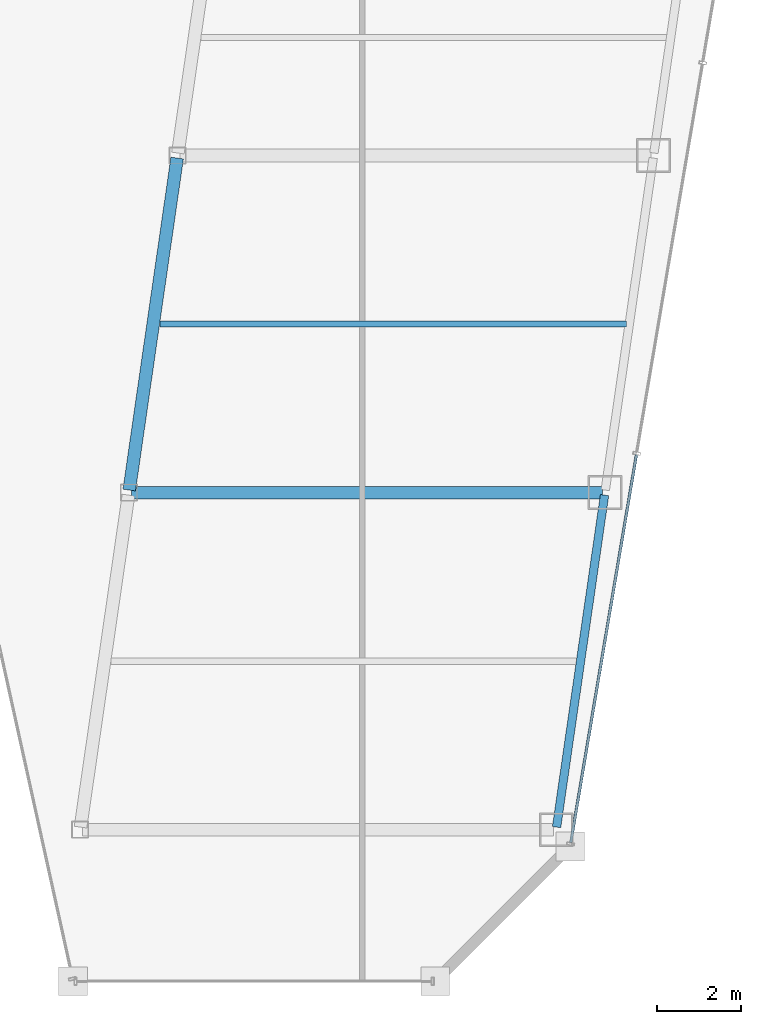
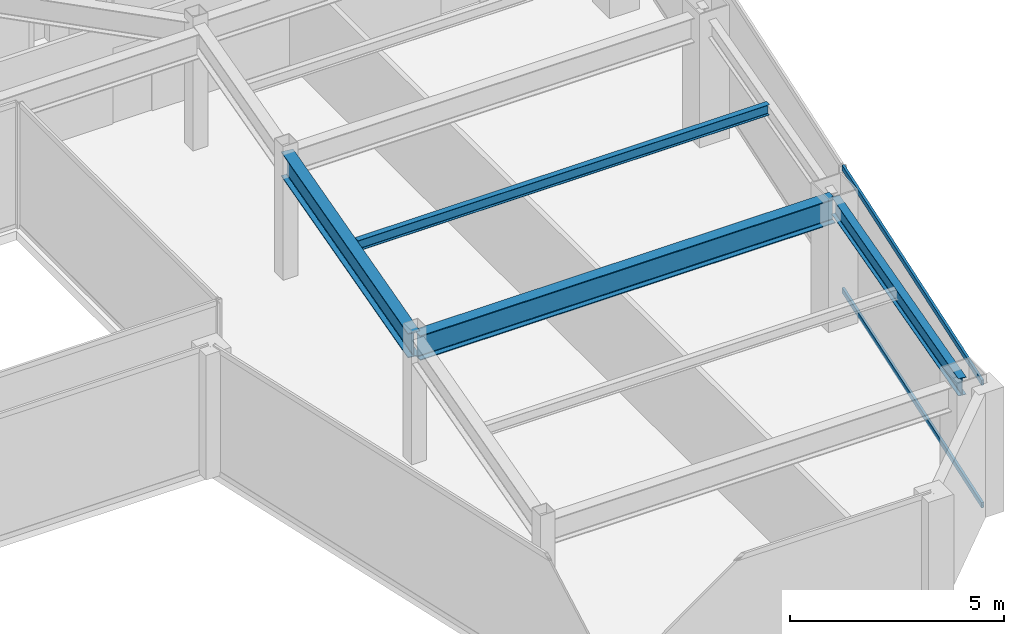
# One storey, part 19 of 35: 4 beams, 2 members, 1 element without a shape of its own.
"""IFC4 building model written with IfcOpenShell, lengths in metres."""

from ifc_helpers import new_model, si_unit, direction, frame, origin, origin_2d, place, context, subcontext, project, spatial, hollow_rectangle, i_section, extrude, material, material_profile, profile_set, type_object, element, aggregate, save


model = new_model("IFC4")

# Units and contexts
model_context = context("Model", 3, precision=1e-05, world=origin(), true_north=direction((0.0, 1.0)))
body_context = subcontext(model_context, "Body", "Model", "MODEL_VIEW")
ifc_project = project(units=[si_unit("LENGTHUNIT", "METRE"), si_unit("AREAUNIT", "SQUARE_METRE"), si_unit("VOLUMEUNIT", "CUBIC_METRE"), si_unit("PLANEANGLEUNIT", "RADIAN"), si_unit("MASSUNIT", "GRAM", prefix="KILO")], contexts=[model_context])

# Site, building, storey
site_placement = place(None, origin())
site = spatial("IfcSite", under=ifc_project, at=site_placement, CompositionType="ELEMENT")
building_placement = place(site_placement, origin())
building = spatial("IfcBuilding", under=site, at=building_placement, Name="Saevonmaru Cultural Tower", CompositionType="ELEMENT")
storey_placement = place(building_placement, frame((0.0, 0.0, 194.199951171875)))
storey = spatial("IfcBuildingStorey", under=building, at=storey_placement, Name="L44", CompositionType="ELEMENT", Elevation=194.199951171875)

# Beams
ifc_material_1 = material(Name="Steel SM355", Category="steel")
ifc_material_profile_1 = material_profile(ifc_material_1, i_section(OverallWidth=0.300048828125, OverallDepth=0.699951171875, WebThickness=0.012939453125, FlangeThickness=0.02392578125, FilletRadius=0.02587890625, at=origin_2d()), Name="H-700x300x13x24")
ifc_profile_set_1 = profile_set([ifc_material_profile_1], Name="Steel SM355")
beam_type_1 = type_object("IfcBeamType", Name="BM-G-H700", PredefinedType="BEAM", material=ifc_profile_set_1)
beam_1_placement = place(storey_placement, frame((39.236572265625, 24.059326171875, 3.199951171875), z_axis=(0.142902032203, 0.989736838353, 0.0), x_axis=(-0.989736838353, 0.142902032203, 0.0)))
element("IfcBeam", 1, at=beam_1_placement, inside=storey, type_object=beam_type_1, Name="L44 East Atrium Girder 2", PredefinedType="BEAM", context=body_context, shape_type="SweptSolid", body=[
    extrude(i_section(OverallWidth=0.300048828125, OverallDepth=0.699951171875, WebThickness=0.012939453125, FlangeThickness=0.02392578125, FilletRadius=0.02587890625, at=origin_2d()), origin(), (0.0, 0.0, 1.0), 7.963134765625),
])
beam_2_placement = place(storey_placement, frame((39.2880859375, 24.0, 3.199951171875), z_axis=(1.0, 0.0, 0.0), x_axis=(0.0, 1.0, 0.0)))
element("IfcBeam", 2, at=beam_2_placement, inside=storey, type_object=beam_type_1, Name="L44 East Wing Transverse Girder 2", PredefinedType="BEAM", context=body_context, shape_type="SweptSolid", body=[
    extrude(i_section(OverallWidth=0.300048828125, OverallDepth=0.699951171875, WebThickness=0.012939453125, FlangeThickness=0.02392578125, FilletRadius=0.02587890625, at=origin_2d()), origin(), (0.0, 0.0, 1.0), 11.179931640625),
])
ifc_material_profile_2 = material_profile(ifc_material_1, i_section(OverallWidth=0.14990234375, OverallDepth=0.300048828125, WebThickness=0.006591796875, FlangeThickness=0.009033203125, FilletRadius=0.012939453125, at=origin_2d()), Name="H-300x150x6.5x9")
ifc_profile_set_2 = profile_set([ifc_material_profile_2], Name="Steel SM355")
beam_type_2 = type_object("IfcBeamType", Name="BM-J-H300", PredefinedType="JOIST", material=ifc_profile_set_2)
beam_3_placement = place(storey_placement, frame((39.96337890625, 28.0, 3.400146484375), z_axis=(1.0, 0.0, 0.0), x_axis=(0.0, 1.0, 0.0)))
element("IfcBeam", 3, at=beam_3_placement, inside=storey, type_object=beam_type_2, Name="L44 East Wing Floor Joist 2", PredefinedType="JOIST", context=body_context, shape_type="SweptSolid", body=[
    extrude(i_section(OverallWidth=0.14990234375, OverallDepth=0.300048828125, WebThickness=0.006591796875, FlangeThickness=0.009033203125, FilletRadius=0.012939453125, at=origin_2d()), origin(), (0.0, 0.0, 1.0), 11.08203125),
])
ifc_material_profile_3 = material_profile(ifc_material_1, i_section(OverallWidth=0.199951171875, OverallDepth=0.5, WebThickness=0.010009765625, FlangeThickness=0.01611328125, FilletRadius=0.02001953125, at=origin_2d()), Name="H-500x200x10x16")
ifc_profile_set_3 = profile_set([ifc_material_profile_3], Name="Steel SM355")
beam_type_3 = type_object("IfcBeamType", Name="BM-SP-H500", PredefinedType="SPANDREL", material=ifc_profile_set_3)
beam_4_placement = place(storey_placement, frame((49.380615234375, 16.059326171875, 3.300048828125), z_axis=(0.142992129437, 0.989723825579, 0.0), x_axis=(-0.989723825579, 0.142992129437, 0.0)))
element("IfcBeam", 4, at=beam_4_placement, inside=storey, type_object=beam_type_3, Name="L44 East Splayed Spandrel 1", PredefinedType="SPANDREL", context=body_context, shape_type="SweptSolid", body=[
    extrude(i_section(OverallWidth=0.199951171875, OverallDepth=0.5, WebThickness=0.010009765625, FlangeThickness=0.01611328125, FilletRadius=0.02001953125, at=origin_2d()), origin(), (0.0, 0.0, 1.0), 7.963134765625),
])

# Curtain wall, members
ifc_material_2 = material(Name="Satin Bronze Anodised Aluminium", Category="aluminium")
curtain_wall_type = type_object("IfcCurtainWallType", Name="CW-TYP-B", PredefinedType="NOTDEFINED", material=ifc_material_2)
curtain_wall_placement = place(storey_placement, origin())
curtain_wall = element("IfcCurtainWall", 5, at=curtain_wall_placement, inside=storey, type_object=curtain_wall_type, Name="L44 Unitised Curtain Wall E8", PredefinedType="NOTDEFINED")
ifc_material_profile_4 = material_profile(ifc_material_2, hollow_rectangle(XDim=0.06494140625, YDim=0.14990234375, WallThickness=0.00390625, at=origin_2d()), Name="ALU-TRAN-150x65x4")
ifc_profile_set_4 = profile_set([ifc_material_profile_4], Name="Satin Bronze Anodised Aluminium")
member_type = type_object("IfcMemberType", Name="TR-CW-150x65", PredefinedType="USERDEFINED", material=ifc_profile_set_4)
member_1_placement = place(storey_placement, frame((49.717529296875, 15.691162109375, 0.032470703125), z_axis=(0.166921263871, 0.985970228591, 0.0), x_axis=(-0.985970228591, 0.166921263871, 0.0)))
member_1 = element("IfcMember", 6, at=member_1_placement, type_object=member_type, Name="CW-TW-L44-E8 transom 1.1", ObjectType="TRANSOM", PredefinedType="USERDEFINED", context=body_context, shape_type="SweptSolid", body=[
    extrude(hollow_rectangle(XDim=0.06494140625, YDim=0.14990234375, WallThickness=0.00390625, at=origin_2d()), origin(), (0.0, 0.0, 1.0), 9.33740234375),
])
member_2_placement = place(storey_placement, frame((49.717529296875, 15.691162109375, 3.517578125), z_axis=(0.166921263871, 0.985970228591, 0.0), x_axis=(-0.985970228591, 0.166921263871, 0.0)))
member_2 = element("IfcMember", 7, at=member_2_placement, type_object=member_type, Name="CW-TW-L44-E8 transom 1.2", ObjectType="TRANSOM", PredefinedType="USERDEFINED", context=body_context, shape_type="SweptSolid", body=[
    extrude(hollow_rectangle(XDim=0.06494140625, YDim=0.14990234375, WallThickness=0.00390625, at=origin_2d()), origin(), (0.0, 0.0, 1.0), 9.33740234375),
])
aggregate(curtain_wall, [member_1, member_2])

save(model, "model.ifc")
